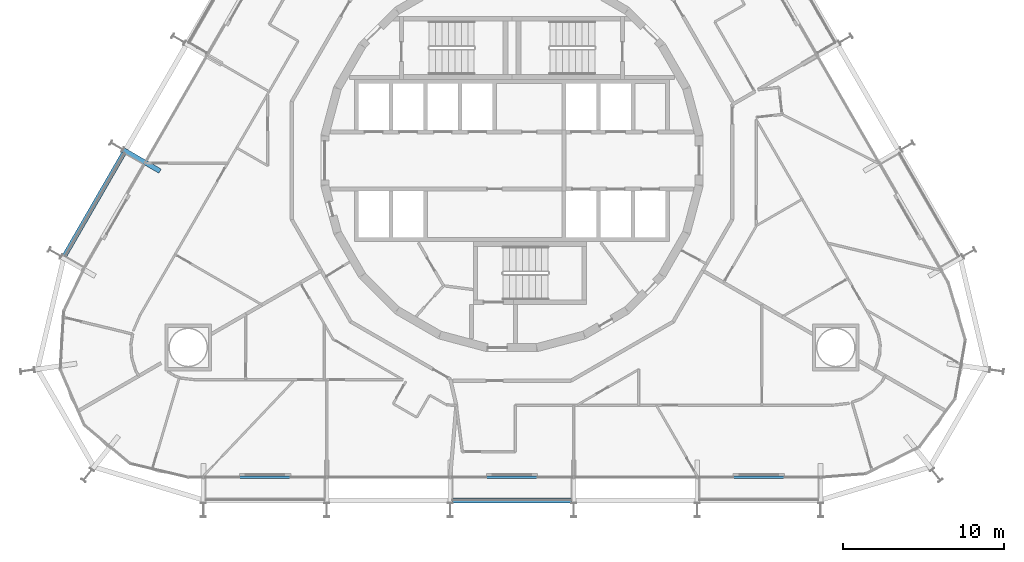
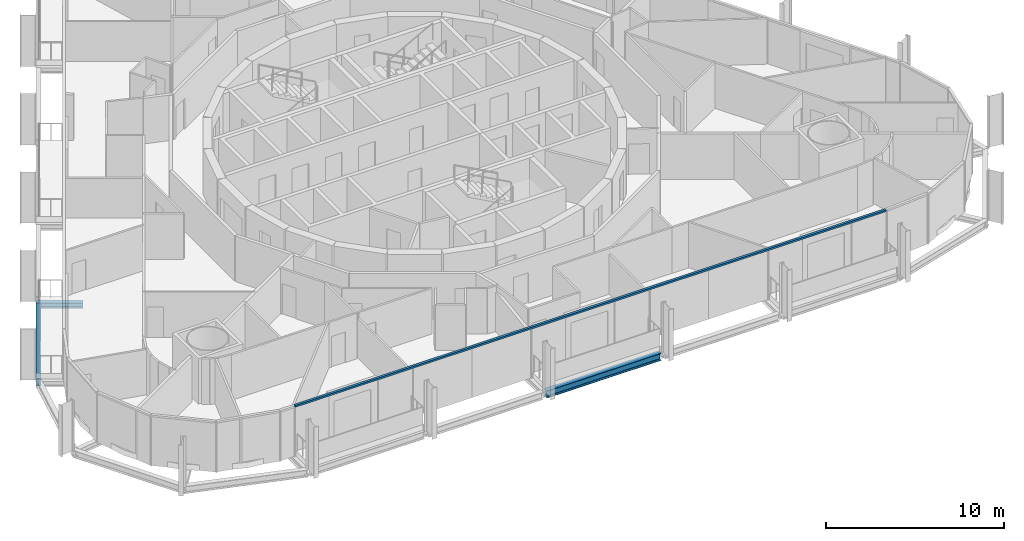
# One storey, part 4 of 21: 3 beams, 1 member, 1 element without a shape of its own.
"""IFC4 building model written with IfcOpenShell, lengths in metres."""

from ifc_helpers import new_model, si_unit, direction, frame, origin, origin_2d, place, context, subcontext, project, spatial, rectangle, i_section, extrude, material, layer, layer_set, material_profile, profile_set, type_object, element, aggregate, save


model = new_model("IFC4")

# Units and contexts
model_context = context("Model", 3, precision=1e-05, world=origin(), true_north=direction((0.0, 1.0)))
body_context = subcontext(model_context, "Body", "Model", "MODEL_VIEW")
ifc_project = project(units=[si_unit("LENGTHUNIT", "METRE"), si_unit("AREAUNIT", "SQUARE_METRE"), si_unit("VOLUMEUNIT", "CUBIC_METRE"), si_unit("PLANEANGLEUNIT", "RADIAN"), si_unit("MASSUNIT", "GRAM", prefix="KILO")], contexts=[model_context])

# Site, building, storey
site_placement = place(None, origin())
site = spatial("IfcSite", under=ifc_project, at=site_placement, CompositionType="ELEMENT")
building_placement = place(site_placement, origin())
building = spatial("IfcBuilding", under=site, at=building_placement, Name="Spindle Arch Residences", CompositionType="ELEMENT")
storey_placement = place(building_placement, frame((0.0, 0.0, 62.89990234375)))
storey = spatial("IfcBuildingStorey", under=building, at=storey_placement, Name="L14", CompositionType="ELEMENT", Elevation=62.89990234375)

# Curtain wall, member
ifc_material_1 = material(Name="Aluminium bronze unitised frame with tinted glass", Category="aluminium")
ifc_layer = layer(ifc_material_1, 0.159912109375)
ifc_layer_set = layer_set([ifc_layer], Name="CW-C typical residential unitised wall")
curtain_wall_type = type_object("IfcCurtainWallType", Name="CW-C typical residential unitised wall", PredefinedType="NOTDEFINED", material=ifc_layer_set)
curtain_wall_placement = place(storey_placement, origin())
curtain_wall = element("IfcCurtainWall", 1, at=curtain_wall_placement, inside=storey, type_object=curtain_wall_type, Name="CW-C L14 run 6", PredefinedType="NOTDEFINED")
ifc_material_2 = material(Name="Aluminium bronze anodised transom", Category="aluminium")
ifc_material_profile_1 = material_profile(ifc_material_2, rectangle(XDim=0.159912109375, YDim=0.1201171875, at=origin_2d()), Name="TR 120x160")
ifc_profile_set_1 = profile_set([ifc_material_profile_1], Name="Aluminium bronze anodised transom")
member_type = type_object("IfcMemberType", Name="Bronze transom 120x160", PredefinedType="USERDEFINED", material=ifc_profile_set_1)
member_placement = place(storey_placement, frame((-19.170166015625, -19.7099609375, 3.06005859375), z_axis=(1.0, 0.0, 0.0), x_axis=(0.0, 1.0, 0.0)))
member = element("IfcMember", 2, at=member_placement, type_object=member_type, Name="CW-C transom 00", ObjectType="TRANSOM", PredefinedType="USERDEFINED", context=body_context, shape_type="SweptSolid", body=[
    extrude(rectangle(XDim=0.159912109375, YDim=0.1201171875, at=origin_2d()), origin(), (0.0, 0.0, 1.0), 38.34033203125),
])
aggregate(curtain_wall, [member])

# Beams
ifc_material_3 = material(Name="Steel S460ML, intumescent coating R 120", Category="steel")
ifc_material_profile_2 = material_profile(ifc_material_3, i_section(OverallWidth=0.300048828125, OverallDepth=0.5, WebThickness=0.014404296875, FlangeThickness=0.028076171875, FilletRadius=0.027099609375, at=origin_2d()), Name="HEB 500")
ifc_profile_set_2 = profile_set([ifc_material_profile_2], Name="Steel S460ML, intumescent coating R 120")
beam_type_1 = type_object("IfcBeamType", Name="Exoskeleton edge beam HEB 500", PredefinedType="BEAM", material=ifc_profile_set_2)
beam_1_placement = place(storey_placement, frame((-24.13525390625, 0.482177734375, -0.6298828125), z_axis=(-0.49998923004, -0.866031621735, 0.0), x_axis=(0.866031621735, -0.49998923004, 0.0)))
element("IfcBeam", 3, at=beam_1_placement, inside=storey, type_object=beam_type_1, Name="Exoskeleton edge beam 18", PredefinedType="BEAM", context=body_context, shape_type="SweptSolid", body=[
    extrude(i_section(OverallWidth=0.300048828125, OverallDepth=0.5, WebThickness=0.014404296875, FlangeThickness=0.028076171875, FilletRadius=0.027099609375, at=origin_2d()), origin(), (0.0, 0.0, 1.0), 7.420166015625),
])
beam_2_placement = place(storey_placement, frame((-3.7099609375, -21.142822265625, -0.6298828125), z_axis=(1.0, 0.0, 0.0), x_axis=(0.0, 1.0, 0.0)))
element("IfcBeam", 4, at=beam_2_placement, inside=storey, type_object=beam_type_1, Name="Exoskeleton edge beam 24", PredefinedType="BEAM", context=body_context, shape_type="SweptSolid", body=[
    extrude(i_section(OverallWidth=0.300048828125, OverallDepth=0.5, WebThickness=0.014404296875, FlangeThickness=0.028076171875, FilletRadius=0.027099609375, at=origin_2d()), origin(), (0.0, 0.0, 1.0), 7.419921875),
])
ifc_material_4 = material(Name="Steel S460ML, intumescent coating R 120", Category="steel")
ifc_material_profile_3 = material_profile(ifc_material_4, i_section(OverallWidth=0.300048828125, OverallDepth=0.389892578125, WebThickness=0.010986328125, FlangeThickness=0.01904296875, FilletRadius=0.027099609375, at=origin_2d()), Name="HEA 400")
ifc_profile_set_3 = profile_set([ifc_material_profile_3], Name="Steel S460ML, intumescent coating R 120")
beam_type_2 = type_object("IfcBeamType", Name="Floor outrigger HEA 400", PredefinedType="BEAM", material=ifc_profile_set_3)
beam_3_placement = place(storey_placement, frame((-24.18896484375, 0.6630859375, -0.574951171875), z_axis=(0.866029095148, -0.499993606316, 0.0), x_axis=(0.499993606316, 0.866029095148, 0.0)))
element("IfcBeam", 5, at=beam_3_placement, inside=storey, type_object=beam_type_2, Name="Floor outrigger 18", PredefinedType="BEAM", context=body_context, shape_type="SweptSolid", body=[
    extrude(i_section(OverallWidth=0.300048828125, OverallDepth=0.389892578125, WebThickness=0.010986328125, FlangeThickness=0.01904296875, FilletRadius=0.027099609375, at=origin_2d()), origin(), (0.0, 0.0, 1.0), 2.64990234375),
])

save(model, "model.ifc")
